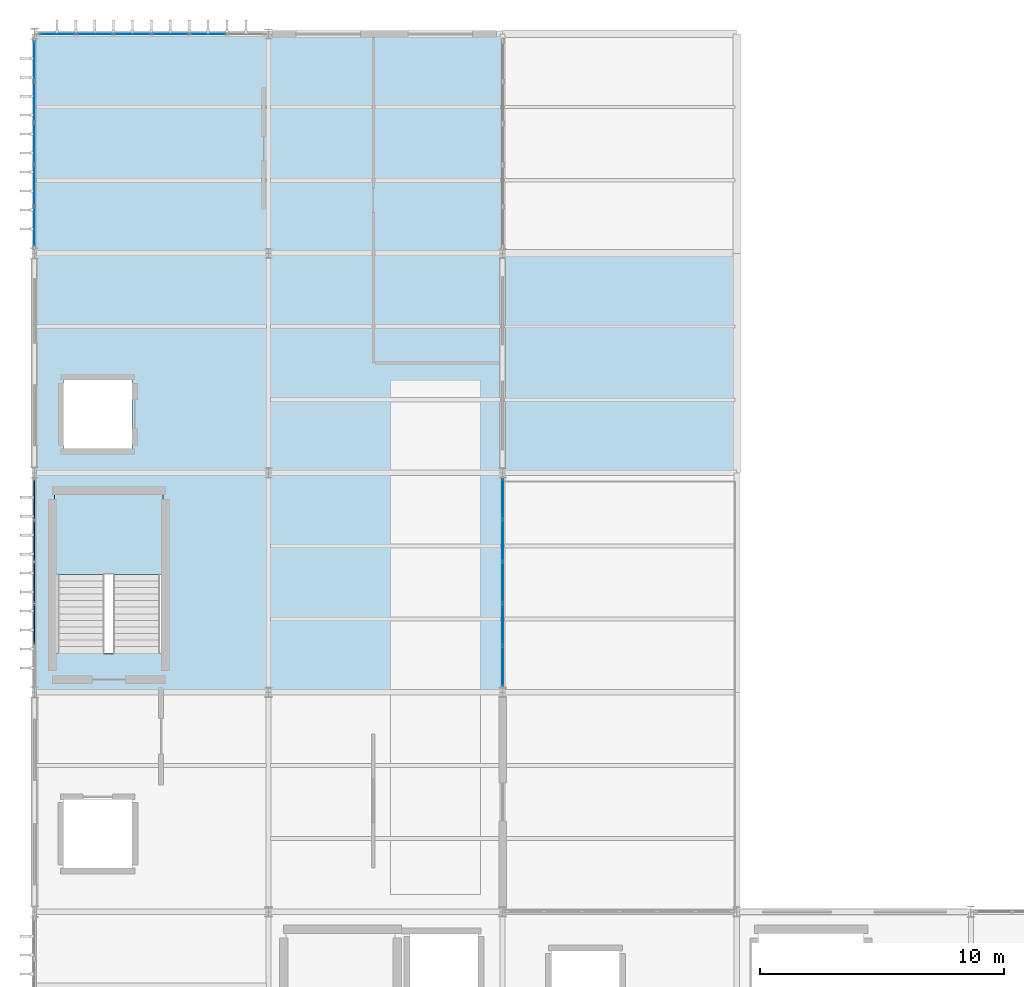
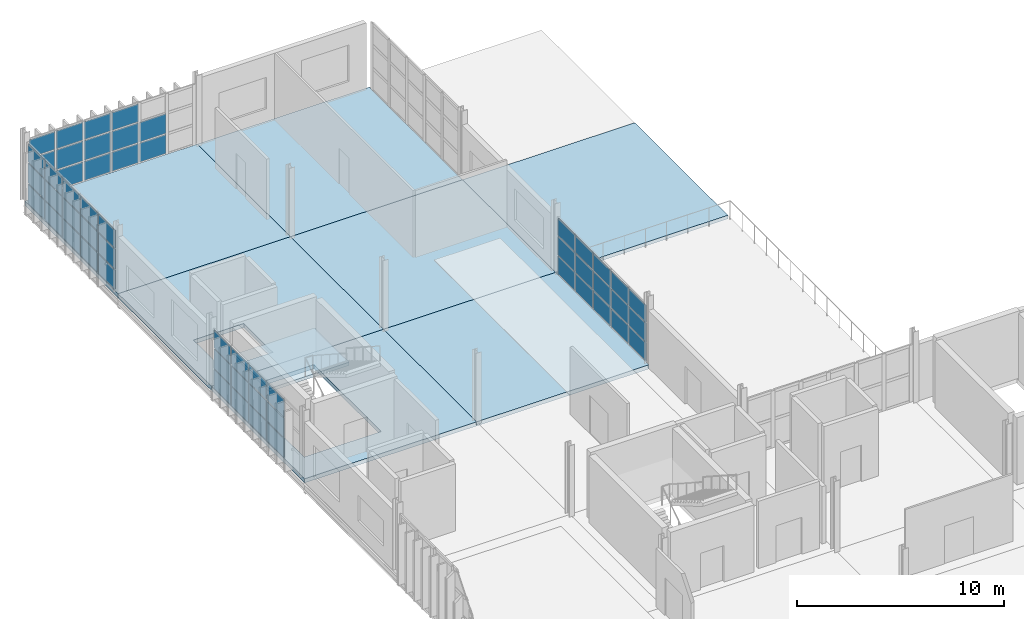
# One storey, part 17 of 38: 56 plates, 8 slabs, 5 elements without a shape of their own.
"""IFC4 building model written with IfcOpenShell, lengths in metres."""

import ifcopenshell
import ifcopenshell.guid

model = None  # the IFC model being written
_history = None  # IfcOwnerHistory: only IFC2X3 demands one
_inside = {}  # id of a spatial element -> (the spatial element, [elements in it])
_under = {}  # id of a project, library or spatial element -> (it, [spatial elements below it])
_declared = {}  # id of a project -> (the project, [libraries it declares])
_typed = {}  # id of a type object -> (the type object, [elements of that type])
_made_of = {}  # id of a material, layer set ... -> (it, [elements and type objects made of it])


def new_model(schema):
    """Start an empty IFC model of exactly this schema.

    Asked for "IFC4X3", IfcOpenShell would pick the latest addendum, in which some entities
    have other attributes; the version numbers below select the first issue.
    IFC2X3 requires an IfcOwnerHistory on every rooted entity: one is made here for all.
    """
    global model, _history
    if schema == "IFC4X3":
        model = ifcopenshell.file(schema_version=(4, 3, 0, 0))
    else:
        model = ifcopenshell.file(schema=schema)
    _inside.clear()
    _under.clear()
    _declared.clear()
    _typed.clear()
    _made_of.clear()
    _history = None
    if model.schema == "IFC2X3":
        org = make("IfcOrganization", Name="unknown")
        user = make(
            "IfcPersonAndOrganization",
            ThePerson=make("IfcPerson", FamilyName="unknown"),
            TheOrganization=org,
        )
        app = make(
            "IfcApplication",
            ApplicationDeveloper=org,
            Version="unknown",
            ApplicationFullName="unknown",
            ApplicationIdentifier="unknown",
        )
        _history = make(
            "IfcOwnerHistory",
            OwningUser=user,
            OwningApplication=app,
            ChangeAction="ADDED",
            CreationDate=0,
        )
    return model


def make(cls, **values):
    """One entity of the class cls with the attributes given. An attribute that is None is left unset."""
    return model.create_entity(
        cls, **{name: value for name, value in values.items() if value is not None}
    )


def rooted(cls, **values):
    """An entity with a GlobalId (a new one), such as an element, a storey or a relation."""
    return make(cls, GlobalId=ifcopenshell.guid.new(), OwnerHistory=_history, **values)


def si_unit(unit_type, name, prefix=None):
    """IfcSIUnit, for example si_unit("LENGTHUNIT", "METRE", prefix="MILLI")."""
    return make("IfcSIUnit", UnitType=unit_type, Prefix=prefix, Name=name)


def assignment(units):
    """IfcUnitAssignment: the units of a project."""
    return None if units is None else make("IfcUnitAssignment", Units=units)


def point(xyz):
    """IfcCartesianPoint."""
    return None if xyz is None else make("IfcCartesianPoint", Coordinates=xyz)


def direction(xyz):
    """IfcDirection."""
    return None if xyz is None else make("IfcDirection", DirectionRatios=xyz)


def frame(location, z_axis=None, x_axis=None):
    """IfcAxis2Placement3D, a coordinate frame: its origin and axes. An axis left out is left unset."""
    return make(
        "IfcAxis2Placement3D",
        Location=point(location),
        Axis=direction(z_axis),
        RefDirection=direction(x_axis),
    )


def frame_2d(location, x_axis=None):
    """IfcAxis2Placement2D, a coordinate frame in the plane: its origin and x axis."""
    return make(
        "IfcAxis2Placement2D", Location=point(location), RefDirection=direction(x_axis)
    )


def origin():
    """The frame at (0, 0, 0) with its axes left unset."""
    return frame((0.0, 0.0, 0.0))


def origin_2d():
    """The frame at (0, 0) in the plane with its x axis left unset."""
    return frame_2d((0.0, 0.0))


def place(relative_to, where):
    """IfcLocalPlacement: puts the frame where relative to a parent placement (None: the world)."""
    return make(
        "IfcLocalPlacement", PlacementRelTo=relative_to, RelativePlacement=where
    )


def context(
    kind, dimensions, precision=None, world=None, true_north=None, identifier=None
):
    """IfcGeometricRepresentationContext, for example the 3D "Model" context."""
    return make(
        "IfcGeometricRepresentationContext",
        ContextIdentifier=identifier,
        ContextType=kind,
        CoordinateSpaceDimension=dimensions,
        Precision=precision,
        WorldCoordinateSystem=world,
        TrueNorth=true_north,
    )


def subcontext(parent, identifier, kind, view, scale=None):
    """IfcGeometricRepresentationSubContext, for example "Body" below "Model"."""
    return make(
        "IfcGeometricRepresentationSubContext",
        ContextIdentifier=identifier,
        ContextType=kind,
        ParentContext=parent,
        TargetScale=scale,
        TargetView=view,
    )


def project(units=None, contexts=None):
    """IfcProject with its units and contexts."""
    return rooted(
        "IfcProject",
        Name="project",
        RepresentationContexts=contexts,
        UnitsInContext=assignment(units),
    )


def spatial(cls, under=None, at=None, **own):
    """A site, building, storey or space (cls), placed at a placement, below another one or the project."""
    s = rooted(cls, ObjectPlacement=at, **own)
    if under is not None:
        _under.setdefault(under.id(), (under, []))[1].append(s)
    return s


def polyline(points):
    """IfcPolyline through the points."""
    return make("IfcPolyline", Points=[point(p) for p in points])


def profile(cls, at=None, kind="AREA", **sizes):
    """A parametric profile (cls). Its sizes go by their IFC names, for example OverallWidth=200.0."""
    return make(cls, ProfileType=kind, Position=at, **sizes)


def rectangle(**sizes):
    """IfcRectangleProfileDef."""
    return profile("IfcRectangleProfileDef", **sizes)


def outline(outer, holes=None, kind="AREA"):
    """IfcArbitraryClosedProfileDef: a profile drawn as a closed curve; with holes, ...WithVoids."""
    if holes is None:
        return make("IfcArbitraryClosedProfileDef", ProfileType=kind, OuterCurve=outer)
    return make(
        "IfcArbitraryProfileDefWithVoids",
        ProfileType=kind,
        OuterCurve=outer,
        InnerCurves=holes,
    )


def extrude(swept, where, along, depth):
    """IfcExtrudedAreaSolid: the profile swept, set in the frame where, extruded along a direction by depth."""
    return make(
        "IfcExtrudedAreaSolid",
        SweptArea=swept,
        Position=where,
        ExtrudedDirection=direction(along),
        Depth=depth,
    )


def shape(context_of_items, identifier, shape_type, items):
    """IfcShapeRepresentation: the items that make up one representation, for example the "Body"."""
    return make(
        "IfcShapeRepresentation",
        ContextOfItems=context_of_items,
        RepresentationIdentifier=identifier,
        RepresentationType=shape_type,
        Items=items,
    )


def material(Name=None, Category=None):
    """IfcMaterial."""
    return make("IfcMaterial", Name=Name, Category=Category)


def layer(
    of_material, thickness, ventilated=None, Name=None, Category=None, Priority=None
):
    """IfcMaterialLayer: one layer of a wall or slab, of a material (None: an air gap)."""
    return make(
        "IfcMaterialLayer",
        Material=of_material,
        LayerThickness=thickness,
        IsVentilated=ventilated,
        Name=Name,
        Category=Category,
        Priority=Priority,
    )


def layer_set(layers, Name=None):
    """IfcMaterialLayerSet."""
    return make("IfcMaterialLayerSet", MaterialLayers=layers, LayerSetName=Name)


def made_of(thing, what):
    """Note that an element or type object is made of a material, layer set ...; save() writes the relation."""
    if what is not None:
        _made_of.setdefault(what.id(), (what, []))[1].append(thing)
    return thing


def type_object(cls, material=None, **own):
    """A type object (cls), such as IfcWallType, which elements share."""
    return made_of(rooted(cls, **own), material)


def element(
    cls,
    number,
    at=None,
    inside=None,
    cuts=None,
    type_object=None,
    material=None,
    context=None,
    identifier="Body",
    shape_type=None,
    held_by="IfcProductDefinitionShape",
    body=None,
    shapes=None,
    **own,
):
    """One element of the class cls, such as IfcWall. Its Tag is "e" and its number.

    at: its placement. inside: the storey or other place that contains it. cuts: it is an
    opening in that element (IfcRelVoidsElement). A single representation is given by context,
    identifier, shape_type and body (its items); several are given by shapes. held_by: the class
    of the entity that holds the representations. save() writes the other relations.
    """
    e = rooted(cls, Tag="e%d" % number, ObjectPlacement=at, **own)
    if body is not None:
        shapes = [shape(context, identifier, shape_type, body)]
    if shapes is not None:
        e.Representation = make(held_by, Representations=shapes)
    if inside is not None:
        _inside.setdefault(inside.id(), (inside, []))[1].append(e)
    if cuts is not None:
        rooted(
            "IfcRelVoidsElement", RelatingBuildingElement=cuts, RelatedOpeningElement=e
        )
    if type_object is not None:
        _typed.setdefault(type_object.id(), (type_object, []))[1].append(e)
    return made_of(e, material)


def aggregate(whole, parts):
    """IfcRelAggregates: a whole, such as a stair, and the parts it consists of."""
    return rooted("IfcRelAggregates", RelatingObject=whole, RelatedObjects=parts)


def save(model, path):
    """Write the relations noted so far, then the file.

    IfcRelAggregates (storeys below a building ...), IfcRelContainedInSpatialStructure (elements
    in a storey), IfcRelDefinesByType, IfcRelAssociatesMaterial and IfcRelDeclares: one each for
    every whole, place, type object, material and project.
    """
    for whole, parts in _under.values():
        aggregate(whole, parts)
    for where, things in _inside.values():
        rooted(
            "IfcRelContainedInSpatialStructure",
            RelatedElements=things,
            RelatingStructure=where,
        )
    for kind, things in _typed.values():
        rooted("IfcRelDefinesByType", RelatedObjects=things, RelatingType=kind)
    for what, things in _made_of.values():
        rooted("IfcRelAssociatesMaterial", RelatedObjects=things, RelatingMaterial=what)
    for by, libraries in _declared.values():
        rooted("IfcRelDeclares", RelatingContext=by, RelatedDefinitions=libraries)
    model.write(path)


model = new_model("IFC4")

# Units and contexts
model_context = context("Model", 3, precision=1e-05, world=origin(), true_north=direction((0.0, 1.0)))
body_context = subcontext(model_context, "Body", "Model", "MODEL_VIEW")
ifc_project = project(units=[si_unit("LENGTHUNIT", "METRE"), si_unit("AREAUNIT", "SQUARE_METRE"), si_unit("VOLUMEUNIT", "CUBIC_METRE"), si_unit("PLANEANGLEUNIT", "RADIAN"), si_unit("MASSUNIT", "GRAM", prefix="KILO")], contexts=[model_context])

# Site, building, storey
site_placement = place(None, origin())
site = spatial("IfcSite", under=ifc_project, at=site_placement, CompositionType="ELEMENT")
building_placement = place(site_placement, origin())
building = spatial("IfcBuilding", under=site, at=building_placement, Name="Zarnetskaya Central Station", CompositionType="ELEMENT")
storey_placement = place(building_placement, frame((0.0, 0.0, 18.60009765625)))
storey = spatial("IfcBuildingStorey", under=building, at=storey_placement, Name="L04", CompositionType="ELEMENT", Elevation=18.60009765625)

# Curtain wall, plates
ifc_material_1 = material(Name="Low-E insulated glass", Category="glass")
ifc_layer_1 = layer(ifc_material_1, 0.1640625, Name="Low-E insulated glass", Category="glass")
ifc_layer_set_1 = layer_set([ifc_layer_1], Name="Low-E insulated glass")
curtain_wall_type_1 = type_object("IfcCurtainWallType", Name="CW-SYS-12", PredefinedType="USERDEFINED", material=ifc_layer_set_1)
curtain_wall_1_placement = place(storey_placement, origin())
curtain_wall_1 = element("IfcCurtainWall", 1, at=curtain_wall_1_placement, inside=storey, type_object=curtain_wall_type_1, Name="Curtain wall CW-L04-050", ObjectType="CURTAIN WALL", PredefinedType="USERDEFINED")
ifc_layer_2 = layer(ifc_material_1, 0.028076171875, Name="Low-E insulated glass", Category="glass")
ifc_layer_set_2 = layer_set([ifc_layer_2], Name="Low-E insulated glass")
plate_type_1 = type_object("IfcPlateType", Name="CW-PAN-28", PredefinedType="CURTAIN_PANEL", material=ifc_layer_set_2)
plate_1_placement = place(storey_placement, frame((0.0, 50.300048828125, 0.080078125), z_axis=(0.0, 0.0, 1.0), x_axis=(0.0, 1.0, 0.0)))
plate_1 = element("IfcPlate", 2, at=plate_1_placement, type_object=plate_type_1, Name="CW-18 panel 1.1", PredefinedType="CURTAIN_PANEL", context=body_context, shape_type="SweptSolid", body=[
    extrude(rectangle(XDim=1.590087890625, YDim=0.028076171875, at=origin_2d()), origin(), (0.0, 0.0, 1.0), 1.117919921875),
])
plate_2_placement = place(storey_placement, frame((0.0, 50.300048828125, 1.27783203125), z_axis=(0.0, 0.0, 1.0), x_axis=(0.0, 1.0, 0.0)))
plate_2 = element("IfcPlate", 3, at=plate_2_placement, type_object=plate_type_1, Name="CW-18 panel 1.2", PredefinedType="CURTAIN_PANEL", context=body_context, shape_type="SweptSolid", body=[
    extrude(rectangle(XDim=1.590087890625, YDim=0.028076171875, at=origin_2d()), origin(), (0.0, 0.0, 1.0), 1.156982421875),
])
plate_3_placement = place(storey_placement, frame((0.0, 50.300048828125, 2.514892578125), z_axis=(0.0, 0.0, 1.0), x_axis=(0.0, 1.0, 0.0)))
plate_3 = element("IfcPlate", 4, at=plate_3_placement, type_object=plate_type_1, Name="CW-18 panel 1.3", PredefinedType="CURTAIN_PANEL", context=body_context, shape_type="SweptSolid", body=[
    extrude(rectangle(XDim=1.590087890625, YDim=0.028076171875, at=origin_2d()), origin(), (0.0, 0.0, 1.0), 1.044921875),
])
plate_4_placement = place(storey_placement, frame((0.0, 51.989990234375, 0.080078125), z_axis=(0.0, 0.0, 1.0), x_axis=(0.0, 1.0, 0.0)))
plate_4 = element("IfcPlate", 5, at=plate_4_placement, type_object=plate_type_1, Name="CW-18 panel 2.1", PredefinedType="CURTAIN_PANEL", context=body_context, shape_type="SweptSolid", body=[
    extrude(rectangle(XDim=1.6298828125, YDim=0.028076171875, at=origin_2d()), origin(), (0.0, 0.0, 1.0), 1.117919921875),
])
plate_5_placement = place(storey_placement, frame((0.0, 51.989990234375, 1.27783203125), z_axis=(0.0, 0.0, 1.0), x_axis=(0.0, 1.0, 0.0)))
plate_5 = element("IfcPlate", 6, at=plate_5_placement, type_object=plate_type_1, Name="CW-18 panel 2.2", PredefinedType="CURTAIN_PANEL", context=body_context, shape_type="SweptSolid", body=[
    extrude(rectangle(XDim=1.6298828125, YDim=0.028076171875, at=origin_2d()), origin(), (0.0, 0.0, 1.0), 1.156982421875),
])
plate_6_placement = place(storey_placement, frame((0.0, 51.989990234375, 2.514892578125), z_axis=(0.0, 0.0, 1.0), x_axis=(0.0, 1.0, 0.0)))
plate_6 = element("IfcPlate", 7, at=plate_6_placement, type_object=plate_type_1, Name="CW-18 panel 2.3", PredefinedType="CURTAIN_PANEL", context=body_context, shape_type="SweptSolid", body=[
    extrude(rectangle(XDim=1.6298828125, YDim=0.028076171875, at=origin_2d()), origin(), (0.0, 0.0, 1.0), 1.044921875),
])
plate_7_placement = place(storey_placement, frame((0.0, 53.699951171875, 0.080078125), z_axis=(0.0, 0.0, 1.0), x_axis=(0.0, 1.0, 0.0)))
plate_7 = element("IfcPlate", 8, at=plate_7_placement, type_object=plate_type_1, Name="CW-18 panel 3.1", PredefinedType="CURTAIN_PANEL", context=body_context, shape_type="SweptSolid", body=[
    extrude(rectangle(XDim=1.6298828125, YDim=0.028076171875, at=origin_2d()), origin(), (0.0, 0.0, 1.0), 1.117919921875),
])
plate_8_placement = place(storey_placement, frame((0.0, 53.699951171875, 1.27783203125), z_axis=(0.0, 0.0, 1.0), x_axis=(0.0, 1.0, 0.0)))
plate_8 = element("IfcPlate", 9, at=plate_8_placement, type_object=plate_type_1, Name="CW-18 panel 3.2", PredefinedType="CURTAIN_PANEL", context=body_context, shape_type="SweptSolid", body=[
    extrude(rectangle(XDim=1.6298828125, YDim=0.028076171875, at=origin_2d()), origin(), (0.0, 0.0, 1.0), 1.156982421875),
])
plate_9_placement = place(storey_placement, frame((0.0, 53.699951171875, 2.514892578125), z_axis=(0.0, 0.0, 1.0), x_axis=(0.0, 1.0, 0.0)))
plate_9 = element("IfcPlate", 10, at=plate_9_placement, type_object=plate_type_1, Name="CW-18 panel 3.3", PredefinedType="CURTAIN_PANEL", context=body_context, shape_type="SweptSolid", body=[
    extrude(rectangle(XDim=1.6298828125, YDim=0.028076171875, at=origin_2d()), origin(), (0.0, 0.0, 1.0), 1.044921875),
])
plate_10_placement = place(storey_placement, frame((0.0, 55.409912109375, 0.080078125), z_axis=(0.0, 0.0, 1.0), x_axis=(0.0, 1.0, 0.0)))
plate_10 = element("IfcPlate", 11, at=plate_10_placement, type_object=plate_type_1, Name="CW-18 panel 4.1", PredefinedType="CURTAIN_PANEL", context=body_context, shape_type="SweptSolid", body=[
    extrude(rectangle(XDim=1.6298828125, YDim=0.028076171875, at=origin_2d()), origin(), (0.0, 0.0, 1.0), 1.117919921875),
])
plate_11_placement = place(storey_placement, frame((0.0, 55.409912109375, 1.27783203125), z_axis=(0.0, 0.0, 1.0), x_axis=(0.0, 1.0, 0.0)))
plate_11 = element("IfcPlate", 12, at=plate_11_placement, type_object=plate_type_1, Name="CW-18 panel 4.2", PredefinedType="CURTAIN_PANEL", context=body_context, shape_type="SweptSolid", body=[
    extrude(rectangle(XDim=1.6298828125, YDim=0.028076171875, at=origin_2d()), origin(), (0.0, 0.0, 1.0), 1.156982421875),
])
plate_12_placement = place(storey_placement, frame((0.0, 55.409912109375, 2.514892578125), z_axis=(0.0, 0.0, 1.0), x_axis=(0.0, 1.0, 0.0)))
plate_12 = element("IfcPlate", 13, at=plate_12_placement, type_object=plate_type_1, Name="CW-18 panel 4.3", PredefinedType="CURTAIN_PANEL", context=body_context, shape_type="SweptSolid", body=[
    extrude(rectangle(XDim=1.6298828125, YDim=0.028076171875, at=origin_2d()), origin(), (0.0, 0.0, 1.0), 1.044921875),
])
plate_13_placement = place(storey_placement, frame((0.0, 57.10009765625, 0.080078125), z_axis=(0.0, 0.0, 1.0), x_axis=(0.0, 1.0, 0.0)))
plate_13 = element("IfcPlate", 14, at=plate_13_placement, type_object=plate_type_1, Name="CW-18 panel 5.1", PredefinedType="CURTAIN_PANEL", context=body_context, shape_type="SweptSolid", body=[
    extrude(rectangle(XDim=1.590087890625, YDim=0.028076171875, at=origin_2d()), origin(), (0.0, 0.0, 1.0), 1.117919921875),
])
plate_14_placement = place(storey_placement, frame((0.0, 57.10009765625, 1.27783203125), z_axis=(0.0, 0.0, 1.0), x_axis=(0.0, 1.0, 0.0)))
plate_14 = element("IfcPlate", 15, at=plate_14_placement, type_object=plate_type_1, Name="CW-18 panel 5.2", PredefinedType="CURTAIN_PANEL", context=body_context, shape_type="SweptSolid", body=[
    extrude(rectangle(XDim=1.590087890625, YDim=0.028076171875, at=origin_2d()), origin(), (0.0, 0.0, 1.0), 1.156982421875),
])
plate_15_placement = place(storey_placement, frame((0.0, 57.10009765625, 2.514892578125), z_axis=(0.0, 0.0, 1.0), x_axis=(0.0, 1.0, 0.0)))
plate_15 = element("IfcPlate", 16, at=plate_15_placement, type_object=plate_type_1, Name="CW-18 panel 5.3", PredefinedType="CURTAIN_PANEL", context=body_context, shape_type="SweptSolid", body=[
    extrude(rectangle(XDim=1.590087890625, YDim=0.028076171875, at=origin_2d()), origin(), (0.0, 0.0, 1.0), 1.044921875),
])
aggregate(curtain_wall_1, [plate_1, plate_2, plate_3, plate_4, plate_5, plate_6, plate_7, plate_8, plate_9, plate_10, plate_11, plate_12, plate_13, plate_14, plate_15])

ifc_layer_3 = layer(ifc_material_1, 0.159912109375, Name="Low-E insulated glass", Category="glass")
ifc_layer_set_3 = layer_set([ifc_layer_3], Name="Low-E insulated glass")
curtain_wall_type_2 = type_object("IfcCurtainWallType", Name="CW-SYS-06", PredefinedType="USERDEFINED", material=ifc_layer_set_3)
curtain_wall_2_placement = place(storey_placement, origin())
curtain_wall_2 = element("IfcCurtainWall", 17, at=curtain_wall_2_placement, inside=storey, type_object=curtain_wall_type_2, Name="Curtain wall CW-L04-051", ObjectType="CURTAIN WALL", PredefinedType="USERDEFINED")
ifc_layer_4 = layer(ifc_material_1, 0.031982421875, Name="Low-E insulated glass", Category="glass")
ifc_layer_set_4 = layer_set([ifc_layer_4], Name="Low-E insulated glass")
plate_type_2 = type_object("IfcPlateType", Name="CW-PAN-32", PredefinedType="CURTAIN_PANEL", material=ifc_layer_set_4)
plate_16_placement = place(storey_placement, frame((0.9423828125, 58.199951171875, 0.06982421875), z_axis=(0.0, 0.0, 1.0), x_axis=(1.0, 0.0, 0.0)))
plate_16 = element("IfcPlate", 18, at=plate_16_placement, type_object=plate_type_2, Name="CW-02 panel 1.1", PredefinedType="CURTAIN_PANEL", context=body_context, shape_type="SweptSolid", body=[
    extrude(rectangle(XDim=1.445068359375, YDim=0.031982421875, at=origin_2d()), origin(), (0.0, 0.0, 1.0), 1.118896484375),
])
plate_17_placement = place(storey_placement, frame((0.9423828125, 58.199951171875, 1.2587890625), z_axis=(0.0, 0.0, 1.0), x_axis=(1.0, 0.0, 0.0)))
plate_17 = element("IfcPlate", 19, at=plate_17_placement, type_object=plate_type_2, Name="CW-02 panel 1.2", PredefinedType="CURTAIN_PANEL", context=body_context, shape_type="SweptSolid", body=[
    extrude(rectangle(XDim=1.445068359375, YDim=0.031982421875, at=origin_2d()), origin(), (0.0, 0.0, 1.0), 1.154052734375),
])
plate_18_placement = place(storey_placement, frame((0.9423828125, 58.199951171875, 2.48291015625), z_axis=(0.0, 0.0, 1.0), x_axis=(1.0, 0.0, 0.0)))
plate_18 = element("IfcPlate", 20, at=plate_18_placement, type_object=plate_type_2, Name="CW-02 panel 1.3", PredefinedType="CURTAIN_PANEL", context=body_context, shape_type="SweptSolid", body=[
    extrude(rectangle(XDim=1.445068359375, YDim=0.031982421875, at=origin_2d()), origin(), (0.0, 0.0, 1.0), 1.047119140625),
])
plate_19_placement = place(storey_placement, frame((2.47509765625, 58.199951171875, 0.06982421875), z_axis=(0.0, 0.0, 1.0), x_axis=(1.0, 0.0, 0.0)))
plate_19 = element("IfcPlate", 21, at=plate_19_placement, type_object=plate_type_2, Name="CW-02 panel 2.1", PredefinedType="CURTAIN_PANEL", context=body_context, shape_type="SweptSolid", body=[
    extrude(rectangle(XDim=1.47998046875, YDim=0.031982421875, at=origin_2d()), origin(), (0.0, 0.0, 1.0), 1.118896484375),
])
plate_20_placement = place(storey_placement, frame((2.47509765625, 58.199951171875, 1.2587890625), z_axis=(0.0, 0.0, 1.0), x_axis=(1.0, 0.0, 0.0)))
plate_20 = element("IfcPlate", 22, at=plate_20_placement, type_object=plate_type_2, Name="CW-02 panel 2.2", PredefinedType="CURTAIN_PANEL", context=body_context, shape_type="SweptSolid", body=[
    extrude(rectangle(XDim=1.47998046875, YDim=0.031982421875, at=origin_2d()), origin(), (0.0, 0.0, 1.0), 1.154052734375),
])
plate_21_placement = place(storey_placement, frame((2.47509765625, 58.199951171875, 2.48291015625), z_axis=(0.0, 0.0, 1.0), x_axis=(1.0, 0.0, 0.0)))
plate_21 = element("IfcPlate", 23, at=plate_21_placement, type_object=plate_type_2, Name="CW-02 panel 2.3", PredefinedType="CURTAIN_PANEL", context=body_context, shape_type="SweptSolid", body=[
    extrude(rectangle(XDim=1.47998046875, YDim=0.031982421875, at=origin_2d()), origin(), (0.0, 0.0, 1.0), 1.047119140625),
])
plate_22_placement = place(storey_placement, frame((4.02490234375, 58.199951171875, 0.06982421875), z_axis=(0.0, 0.0, 1.0), x_axis=(1.0, 0.0, 0.0)))
plate_22 = element("IfcPlate", 24, at=plate_22_placement, type_object=plate_type_2, Name="CW-02 panel 3.1", PredefinedType="CURTAIN_PANEL", context=body_context, shape_type="SweptSolid", body=[
    extrude(rectangle(XDim=1.47998046875, YDim=0.031982421875, at=origin_2d()), origin(), (0.0, 0.0, 1.0), 1.118896484375),
])
plate_23_placement = place(storey_placement, frame((4.02490234375, 58.199951171875, 1.2587890625), z_axis=(0.0, 0.0, 1.0), x_axis=(1.0, 0.0, 0.0)))
plate_23 = element("IfcPlate", 25, at=plate_23_placement, type_object=plate_type_2, Name="CW-02 panel 3.2", PredefinedType="CURTAIN_PANEL", context=body_context, shape_type="SweptSolid", body=[
    extrude(rectangle(XDim=1.47998046875, YDim=0.031982421875, at=origin_2d()), origin(), (0.0, 0.0, 1.0), 1.154052734375),
])
plate_24_placement = place(storey_placement, frame((4.02490234375, 58.199951171875, 2.48291015625), z_axis=(0.0, 0.0, 1.0), x_axis=(1.0, 0.0, 0.0)))
plate_24 = element("IfcPlate", 26, at=plate_24_placement, type_object=plate_type_2, Name="CW-02 panel 3.3", PredefinedType="CURTAIN_PANEL", context=body_context, shape_type="SweptSolid", body=[
    extrude(rectangle(XDim=1.47998046875, YDim=0.031982421875, at=origin_2d()), origin(), (0.0, 0.0, 1.0), 1.047119140625),
])
plate_25_placement = place(storey_placement, frame((5.574951171875, 58.199951171875, 0.06982421875), z_axis=(0.0, 0.0, 1.0), x_axis=(1.0, 0.0, 0.0)))
plate_25 = element("IfcPlate", 27, at=plate_25_placement, type_object=plate_type_2, Name="CW-02 panel 4.1", PredefinedType="CURTAIN_PANEL", context=body_context, shape_type="SweptSolid", body=[
    extrude(rectangle(XDim=1.47998046875, YDim=0.031982421875, at=origin_2d()), origin(), (0.0, 0.0, 1.0), 1.118896484375),
])
plate_26_placement = place(storey_placement, frame((5.574951171875, 58.199951171875, 1.2587890625), z_axis=(0.0, 0.0, 1.0), x_axis=(1.0, 0.0, 0.0)))
plate_26 = element("IfcPlate", 28, at=plate_26_placement, type_object=plate_type_2, Name="CW-02 panel 4.2", PredefinedType="CURTAIN_PANEL", context=body_context, shape_type="SweptSolid", body=[
    extrude(rectangle(XDim=1.47998046875, YDim=0.031982421875, at=origin_2d()), origin(), (0.0, 0.0, 1.0), 1.154052734375),
])
plate_27_placement = place(storey_placement, frame((5.574951171875, 58.199951171875, 2.48291015625), z_axis=(0.0, 0.0, 1.0), x_axis=(1.0, 0.0, 0.0)))
plate_27 = element("IfcPlate", 29, at=plate_27_placement, type_object=plate_type_2, Name="CW-02 panel 4.3", PredefinedType="CURTAIN_PANEL", context=body_context, shape_type="SweptSolid", body=[
    extrude(rectangle(XDim=1.47998046875, YDim=0.031982421875, at=origin_2d()), origin(), (0.0, 0.0, 1.0), 1.047119140625),
])
plate_28_placement = place(storey_placement, frame((7.125, 58.199951171875, 0.06982421875), z_axis=(0.0, 0.0, 1.0), x_axis=(1.0, 0.0, 0.0)))
plate_28 = element("IfcPlate", 30, at=plate_28_placement, type_object=plate_type_2, Name="CW-02 panel 5.1", PredefinedType="CURTAIN_PANEL", context=body_context, shape_type="SweptSolid", body=[
    extrude(rectangle(XDim=1.47998046875, YDim=0.031982421875, at=origin_2d()), origin(), (0.0, 0.0, 1.0), 1.118896484375),
])
plate_29_placement = place(storey_placement, frame((7.125, 58.199951171875, 1.2587890625), z_axis=(0.0, 0.0, 1.0), x_axis=(1.0, 0.0, 0.0)))
plate_29 = element("IfcPlate", 31, at=plate_29_placement, type_object=plate_type_2, Name="CW-02 panel 5.2", PredefinedType="CURTAIN_PANEL", context=body_context, shape_type="SweptSolid", body=[
    extrude(rectangle(XDim=1.47998046875, YDim=0.031982421875, at=origin_2d()), origin(), (0.0, 0.0, 1.0), 1.154052734375),
])
aggregate(curtain_wall_2, [plate_16, plate_17, plate_18, plate_19, plate_20, plate_21, plate_22, plate_23, plate_24, plate_25, plate_26, plate_27, plate_28, plate_29])

ifc_layer_5 = layer(ifc_material_1, 0.16796875, Name="Low-E insulated glass", Category="glass")
ifc_layer_set_5 = layer_set([ifc_layer_5], Name="Low-E insulated glass")
curtain_wall_type_3 = type_object("IfcCurtainWallType", Name="CW-SYS-08", PredefinedType="USERDEFINED", material=ifc_layer_set_5)
curtain_wall_3_placement = place(storey_placement, origin())
curtain_wall_3 = element("IfcCurtainWall", 32, at=curtain_wall_3_placement, inside=storey, type_object=curtain_wall_type_3, Name="Curtain wall CW-L04-053", ObjectType="CURTAIN WALL", PredefinedType="USERDEFINED")
ifc_layer_6 = layer(ifc_material_1, 0.0400390625, Name="Low-E insulated glass", Category="glass")
ifc_layer_set_6 = layer_set([ifc_layer_6], Name="Low-E insulated glass")
plate_type_3 = type_object("IfcPlateType", Name="CW-PAN-40", PredefinedType="CURTAIN_PANEL", material=ifc_layer_set_6)
plate_30_placement = place(storey_placement, frame((19.199951171875, 39.12255859375, 0.06982421875), z_axis=(0.0, 0.0, 1.0), x_axis=(0.0, -1.0, 0.0)))
plate_30 = element("IfcPlate", 33, at=plate_30_placement, type_object=plate_type_3, Name="CW-16 panel 1.1", PredefinedType="CURTAIN_PANEL", context=body_context, shape_type="SweptSolid", body=[
    extrude(rectangle(XDim=1.614990234375, YDim=0.0400390625, at=origin_2d()), origin(), (0.0, 0.0, 1.0), 1.053955078125),
])
plate_31_placement = place(storey_placement, frame((19.199951171875, 39.12255859375, 1.19384765625), z_axis=(0.0, 0.0, 1.0), x_axis=(0.0, -1.0, 0.0)))
plate_31 = element("IfcPlate", 34, at=plate_31_placement, type_object=plate_type_3, Name="CW-16 panel 1.2", PredefinedType="CURTAIN_PANEL", context=body_context, shape_type="SweptSolid", body=[
    extrude(rectangle(XDim=1.614990234375, YDim=0.0400390625, at=origin_2d()), origin(), (0.0, 0.0, 1.0), 1.090087890625),
])
plate_32_placement = place(storey_placement, frame((19.199951171875, 39.12255859375, 2.35400390625), z_axis=(0.0, 0.0, 1.0), x_axis=(0.0, -1.0, 0.0)))
plate_32 = element("IfcPlate", 35, at=plate_32_placement, type_object=plate_type_3, Name="CW-16 panel 1.3", PredefinedType="CURTAIN_PANEL", context=body_context, shape_type="SweptSolid", body=[
    extrude(rectangle(XDim=1.614990234375, YDim=0.0400390625, at=origin_2d()), origin(), (0.0, 0.0, 1.0), 0.986083984375),
])
plate_33_placement = place(storey_placement, frame((19.199951171875, 37.419921875, 0.06982421875), z_axis=(0.0, 0.0, 1.0), x_axis=(0.0, -1.0, 0.0)))
plate_33 = element("IfcPlate", 36, at=plate_33_placement, type_object=plate_type_3, Name="CW-16 panel 2.1", PredefinedType="CURTAIN_PANEL", context=body_context, shape_type="SweptSolid", body=[
    extrude(rectangle(XDim=1.64990234375, YDim=0.0400390625, at=origin_2d()), origin(), (0.0, 0.0, 1.0), 1.053955078125),
])
plate_34_placement = place(storey_placement, frame((19.199951171875, 37.419921875, 1.19384765625), z_axis=(0.0, 0.0, 1.0), x_axis=(0.0, -1.0, 0.0)))
plate_34 = element("IfcPlate", 37, at=plate_34_placement, type_object=plate_type_3, Name="CW-16 panel 2.2", PredefinedType="CURTAIN_PANEL", context=body_context, shape_type="SweptSolid", body=[
    extrude(rectangle(XDim=1.64990234375, YDim=0.0400390625, at=origin_2d()), origin(), (0.0, 0.0, 1.0), 1.090087890625),
])
plate_35_placement = place(storey_placement, frame((19.199951171875, 37.419921875, 2.35400390625), z_axis=(0.0, 0.0, 1.0), x_axis=(0.0, -1.0, 0.0)))
plate_35 = element("IfcPlate", 38, at=plate_35_placement, type_object=plate_type_3, Name="CW-16 panel 2.3", PredefinedType="CURTAIN_PANEL", context=body_context, shape_type="SweptSolid", body=[
    extrude(rectangle(XDim=1.64990234375, YDim=0.0400390625, at=origin_2d()), origin(), (0.0, 0.0, 1.0), 0.986083984375),
])
plate_36_placement = place(storey_placement, frame((19.199951171875, 35.699951171875, 0.06982421875), z_axis=(0.0, 0.0, 1.0), x_axis=(0.0, -1.0, 0.0)))
plate_36 = element("IfcPlate", 39, at=plate_36_placement, type_object=plate_type_3, Name="CW-16 panel 3.1", PredefinedType="CURTAIN_PANEL", context=body_context, shape_type="SweptSolid", body=[
    extrude(rectangle(XDim=1.64990234375, YDim=0.0400390625, at=origin_2d()), origin(), (0.0, 0.0, 1.0), 1.053955078125),
])
plate_37_placement = place(storey_placement, frame((19.199951171875, 35.699951171875, 1.19384765625), z_axis=(0.0, 0.0, 1.0), x_axis=(0.0, -1.0, 0.0)))
plate_37 = element("IfcPlate", 40, at=plate_37_placement, type_object=plate_type_3, Name="CW-16 panel 3.2", PredefinedType="CURTAIN_PANEL", context=body_context, shape_type="SweptSolid", body=[
    extrude(rectangle(XDim=1.64990234375, YDim=0.0400390625, at=origin_2d()), origin(), (0.0, 0.0, 1.0), 1.090087890625),
])
plate_38_placement = place(storey_placement, frame((19.199951171875, 35.699951171875, 2.35400390625), z_axis=(0.0, 0.0, 1.0), x_axis=(0.0, -1.0, 0.0)))
plate_38 = element("IfcPlate", 41, at=plate_38_placement, type_object=plate_type_3, Name="CW-16 panel 3.3", PredefinedType="CURTAIN_PANEL", context=body_context, shape_type="SweptSolid", body=[
    extrude(rectangle(XDim=1.64990234375, YDim=0.0400390625, at=origin_2d()), origin(), (0.0, 0.0, 1.0), 0.986083984375),
])
plate_39_placement = place(storey_placement, frame((19.199951171875, 33.97998046875, 0.06982421875), z_axis=(0.0, 0.0, 1.0), x_axis=(0.0, -1.0, 0.0)))
plate_39 = element("IfcPlate", 42, at=plate_39_placement, type_object=plate_type_3, Name="CW-16 panel 4.1", PredefinedType="CURTAIN_PANEL", context=body_context, shape_type="SweptSolid", body=[
    extrude(rectangle(XDim=1.64990234375, YDim=0.0400390625, at=origin_2d()), origin(), (0.0, 0.0, 1.0), 1.053955078125),
])
plate_40_placement = place(storey_placement, frame((19.199951171875, 33.97998046875, 1.19384765625), z_axis=(0.0, 0.0, 1.0), x_axis=(0.0, -1.0, 0.0)))
plate_40 = element("IfcPlate", 43, at=plate_40_placement, type_object=plate_type_3, Name="CW-16 panel 4.2", PredefinedType="CURTAIN_PANEL", context=body_context, shape_type="SweptSolid", body=[
    extrude(rectangle(XDim=1.64990234375, YDim=0.0400390625, at=origin_2d()), origin(), (0.0, 0.0, 1.0), 1.090087890625),
])
plate_41_placement = place(storey_placement, frame((19.199951171875, 33.97998046875, 2.35400390625), z_axis=(0.0, 0.0, 1.0), x_axis=(0.0, -1.0, 0.0)))
plate_41 = element("IfcPlate", 44, at=plate_41_placement, type_object=plate_type_3, Name="CW-16 panel 4.3", PredefinedType="CURTAIN_PANEL", context=body_context, shape_type="SweptSolid", body=[
    extrude(rectangle(XDim=1.64990234375, YDim=0.0400390625, at=origin_2d()), origin(), (0.0, 0.0, 1.0), 0.986083984375),
])
plate_42_placement = place(storey_placement, frame((19.199951171875, 32.277587890625, 0.06982421875), z_axis=(0.0, 0.0, 1.0), x_axis=(0.0, -1.0, 0.0)))
plate_42 = element("IfcPlate", 45, at=plate_42_placement, type_object=plate_type_3, Name="CW-16 panel 5.1", PredefinedType="CURTAIN_PANEL", context=body_context, shape_type="SweptSolid", body=[
    extrude(rectangle(XDim=1.614990234375, YDim=0.0400390625, at=origin_2d()), origin(), (0.0, 0.0, 1.0), 1.053955078125),
])
plate_43_placement = place(storey_placement, frame((19.199951171875, 32.277587890625, 1.19384765625), z_axis=(0.0, 0.0, 1.0), x_axis=(0.0, -1.0, 0.0)))
plate_43 = element("IfcPlate", 46, at=plate_43_placement, type_object=plate_type_3, Name="CW-16 panel 5.2", PredefinedType="CURTAIN_PANEL", context=body_context, shape_type="SweptSolid", body=[
    extrude(rectangle(XDim=1.614990234375, YDim=0.0400390625, at=origin_2d()), origin(), (0.0, 0.0, 1.0), 1.090087890625),
])
plate_44_placement = place(storey_placement, frame((19.199951171875, 32.277587890625, 2.35400390625), z_axis=(0.0, 0.0, 1.0), x_axis=(0.0, -1.0, 0.0)))
plate_44 = element("IfcPlate", 47, at=plate_44_placement, type_object=plate_type_3, Name="CW-16 panel 5.3", PredefinedType="CURTAIN_PANEL", context=body_context, shape_type="SweptSolid", body=[
    extrude(rectangle(XDim=1.614990234375, YDim=0.0400390625, at=origin_2d()), origin(), (0.0, 0.0, 1.0), 0.986083984375),
])
aggregate(curtain_wall_3, [plate_30, plate_31, plate_32, plate_33, plate_34, plate_35, plate_36, plate_37, plate_38, plate_39, plate_40, plate_41, plate_42, plate_43, plate_44])

ifc_layer_7 = layer(ifc_material_1, 0.176025390625, Name="Low-E insulated glass", Category="glass")
ifc_layer_set_7 = layer_set([ifc_layer_7], Name="Low-E insulated glass")
curtain_wall_type_4 = type_object("IfcCurtainWallType", Name="CW-SYS-10", PredefinedType="USERDEFINED", material=ifc_layer_set_7)
curtain_wall_4_placement = place(storey_placement, origin())
curtain_wall_4 = element("IfcCurtainWall", 48, at=curtain_wall_4_placement, inside=storey, type_object=curtain_wall_type_4, Name="Curtain wall CW-L04-049", ObjectType="CURTAIN WALL", PredefinedType="USERDEFINED")
ifc_layer_8 = layer(ifc_material_1, 0.0439453125, Name="Low-E insulated glass", Category="glass")
ifc_layer_set_8 = layer_set([ifc_layer_8], Name="Low-E insulated glass")
plate_type_4 = type_object("IfcPlateType", Name="CW-PAN-44", PredefinedType="CURTAIN_PANEL", material=ifc_layer_set_8)
plate_45_placement = place(storey_placement, frame((0.0, 33.989990234375, 0.06982421875), z_axis=(0.0, 0.0, 1.0), x_axis=(0.0, 1.0, 0.0)))
plate_45 = element("IfcPlate", 49, at=plate_45_placement, type_object=plate_type_4, Name="CW-13 panel 2.1", PredefinedType="CURTAIN_PANEL", context=body_context, shape_type="SweptSolid", body=[
    extrude(rectangle(XDim=1.639892578125, YDim=0.0439453125, at=origin_2d()), origin(), (0.0, 0.0, 1.0), 1.10498046875),
])
plate_46_placement = place(storey_placement, frame((0.0, 33.989990234375, 1.244873046875), z_axis=(0.0, 0.0, 1.0), x_axis=(0.0, 1.0, 0.0)))
plate_46 = element("IfcPlate", 50, at=plate_46_placement, type_object=plate_type_4, Name="CW-13 panel 2.2", PredefinedType="CURTAIN_PANEL", context=body_context, shape_type="SweptSolid", body=[
    extrude(rectangle(XDim=1.639892578125, YDim=0.0439453125, at=origin_2d()), origin(), (0.0, 0.0, 1.0), 1.14111328125),
])
plate_47_placement = place(storey_placement, frame((0.0, 33.989990234375, 2.4560546875), z_axis=(0.0, 0.0, 1.0), x_axis=(0.0, 1.0, 0.0)))
plate_47 = element("IfcPlate", 51, at=plate_47_placement, type_object=plate_type_4, Name="CW-13 panel 2.3", PredefinedType="CURTAIN_PANEL", context=body_context, shape_type="SweptSolid", body=[
    extrude(rectangle(XDim=1.639892578125, YDim=0.0439453125, at=origin_2d()), origin(), (0.0, 0.0, 1.0), 1.033935546875),
])
plate_48_placement = place(storey_placement, frame((0.0, 35.699951171875, 0.06982421875), z_axis=(0.0, 0.0, 1.0), x_axis=(0.0, 1.0, 0.0)))
plate_48 = element("IfcPlate", 52, at=plate_48_placement, type_object=plate_type_4, Name="CW-13 panel 3.1", PredefinedType="CURTAIN_PANEL", context=body_context, shape_type="SweptSolid", body=[
    extrude(rectangle(XDim=1.639892578125, YDim=0.0439453125, at=origin_2d()), origin(), (0.0, 0.0, 1.0), 1.10498046875),
])
plate_49_placement = place(storey_placement, frame((0.0, 35.699951171875, 1.244873046875), z_axis=(0.0, 0.0, 1.0), x_axis=(0.0, 1.0, 0.0)))
plate_49 = element("IfcPlate", 53, at=plate_49_placement, type_object=plate_type_4, Name="CW-13 panel 3.2", PredefinedType="CURTAIN_PANEL", context=body_context, shape_type="SweptSolid", body=[
    extrude(rectangle(XDim=1.639892578125, YDim=0.0439453125, at=origin_2d()), origin(), (0.0, 0.0, 1.0), 1.14111328125),
])
plate_50_placement = place(storey_placement, frame((0.0, 35.699951171875, 2.4560546875), z_axis=(0.0, 0.0, 1.0), x_axis=(0.0, 1.0, 0.0)))
plate_50 = element("IfcPlate", 54, at=plate_50_placement, type_object=plate_type_4, Name="CW-13 panel 3.3", PredefinedType="CURTAIN_PANEL", context=body_context, shape_type="SweptSolid", body=[
    extrude(rectangle(XDim=1.639892578125, YDim=0.0439453125, at=origin_2d()), origin(), (0.0, 0.0, 1.0), 1.033935546875),
])
plate_51_placement = place(storey_placement, frame((0.0, 37.409912109375, 0.06982421875), z_axis=(0.0, 0.0, 1.0), x_axis=(0.0, 1.0, 0.0)))
plate_51 = element("IfcPlate", 55, at=plate_51_placement, type_object=plate_type_4, Name="CW-13 panel 4.1", PredefinedType="CURTAIN_PANEL", context=body_context, shape_type="SweptSolid", body=[
    extrude(rectangle(XDim=1.639892578125, YDim=0.0439453125, at=origin_2d()), origin(), (0.0, 0.0, 1.0), 1.10498046875),
])
plate_52_placement = place(storey_placement, frame((0.0, 37.409912109375, 1.244873046875), z_axis=(0.0, 0.0, 1.0), x_axis=(0.0, 1.0, 0.0)))
plate_52 = element("IfcPlate", 56, at=plate_52_placement, type_object=plate_type_4, Name="CW-13 panel 4.2", PredefinedType="CURTAIN_PANEL", context=body_context, shape_type="SweptSolid", body=[
    extrude(rectangle(XDim=1.639892578125, YDim=0.0439453125, at=origin_2d()), origin(), (0.0, 0.0, 1.0), 1.14111328125),
])
plate_53_placement = place(storey_placement, frame((0.0, 37.409912109375, 2.4560546875), z_axis=(0.0, 0.0, 1.0), x_axis=(0.0, 1.0, 0.0)))
plate_53 = element("IfcPlate", 57, at=plate_53_placement, type_object=plate_type_4, Name="CW-13 panel 4.3", PredefinedType="CURTAIN_PANEL", context=body_context, shape_type="SweptSolid", body=[
    extrude(rectangle(XDim=1.639892578125, YDim=0.0439453125, at=origin_2d()), origin(), (0.0, 0.0, 1.0), 1.033935546875),
])
plate_54_placement = place(storey_placement, frame((0.0, 39.1025390625, 0.06982421875), z_axis=(0.0, 0.0, 1.0), x_axis=(0.0, 1.0, 0.0)))
plate_54 = element("IfcPlate", 58, at=plate_54_placement, type_object=plate_type_4, Name="CW-13 panel 5.1", PredefinedType="CURTAIN_PANEL", context=body_context, shape_type="SweptSolid", body=[
    extrude(rectangle(XDim=1.60498046875, YDim=0.0439453125, at=origin_2d()), origin(), (0.0, 0.0, 1.0), 1.10498046875),
])
plate_55_placement = place(storey_placement, frame((0.0, 39.1025390625, 1.244873046875), z_axis=(0.0, 0.0, 1.0), x_axis=(0.0, 1.0, 0.0)))
plate_55 = element("IfcPlate", 59, at=plate_55_placement, type_object=plate_type_4, Name="CW-13 panel 5.2", PredefinedType="CURTAIN_PANEL", context=body_context, shape_type="SweptSolid", body=[
    extrude(rectangle(XDim=1.60498046875, YDim=0.0439453125, at=origin_2d()), origin(), (0.0, 0.0, 1.0), 1.14111328125),
])
plate_56_placement = place(storey_placement, frame((0.0, 39.1025390625, 2.4560546875), z_axis=(0.0, 0.0, 1.0), x_axis=(0.0, 1.0, 0.0)))
plate_56 = element("IfcPlate", 60, at=plate_56_placement, type_object=plate_type_4, Name="CW-13 panel 5.3", PredefinedType="CURTAIN_PANEL", context=body_context, shape_type="SweptSolid", body=[
    extrude(rectangle(XDim=1.60498046875, YDim=0.0439453125, at=origin_2d()), origin(), (0.0, 0.0, 1.0), 1.033935546875),
])
aggregate(curtain_wall_4, [plate_45, plate_46, plate_47, plate_48, plate_49, plate_50, plate_51, plate_52, plate_53, plate_54, plate_55, plate_56])

# Slab
ifc_material_2 = material(Name="Concrete C30/37", Category="concrete")
ifc_layer_9 = layer(ifc_material_2, 0.2099609375, Name="Concrete C30/37", Category="concrete")
ifc_layer_set_9 = layer_set([ifc_layer_9], Name="Concrete C30/37")
slab_type_1 = type_object("IfcSlabType", Name="ROOF-FLAT-210", PredefinedType="ROOF", material=ifc_layer_set_9)
slab_1_placement = place(storey_placement, frame((0.0, 0.0, -0.210205078125)))
element("IfcSlab", 61, at=slab_1_placement, inside=storey, type_object=slab_type_1, Name="L04 slab C-D/6-7", PredefinedType="ROOF", context=body_context, shape_type="SweptSolid", body=[
    extrude(outline(polyline([(19.199951171875, 40.199951171875), (28.800048828125, 40.199951171875), (28.800048828125, 49.199951171875), (19.199951171875, 49.199951171875), (19.199951171875, 40.199951171875)])), origin(), (0.0, 0.0, 1.0), 0.210205078125),
])

# Stair, slab
stair_type = type_object("IfcStairType", Name="STAIR-ASSY-02", PredefinedType="HALF_TURN_STAIR", material=ifc_material_2)
stair_placement = place(storey_placement, origin())
stair = element("IfcStair", 62, at=stair_placement, inside=storey, type_object=stair_type, Name="Exit Stair ST-C2 L04", PredefinedType="HALF_TURN_STAIR")
ifc_layer_10 = layer(ifc_material_2, 0.18505859375, Name="Concrete C30/37", Category="concrete")
ifc_layer_set_10 = layer_set([ifc_layer_10], Name="Concrete C30/37")
slab_type_2 = type_object("IfcSlabType", Name="SLAB-STAIR-LND", PredefinedType="LANDING", material=ifc_layer_set_10)
slab_2_placement = place(storey_placement, frame((0.0, 0.0, 1.914794921875)))
slab_2 = element("IfcSlab", 63, at=slab_2_placement, type_object=slab_type_2, Name="ST-07 landing 1", PredefinedType="LANDING", context=body_context, shape_type="SweptSolid", body=[
    extrude(outline(polyline([(0.820068359375, 36.034912109375), (5.280029296875, 36.034912109375), (5.280029296875, 39.3798828125), (0.820068359375, 39.3798828125), (0.820068359375, 36.034912109375)])), origin(), (0.0, 0.0, 1.0), 0.18505859375),
])
aggregate(stair, [slab_2])

# Slabs
ifc_layer_11 = layer(ifc_material_2, 0.239990234375, Name="Concrete C30/37", Category="concrete")
ifc_layer_set_11 = layer_set([ifc_layer_11], Name="Concrete C30/37")
slab_type_3 = type_object("IfcSlabType", Name="SLAB-UPP-240", PredefinedType="FLOOR", material=ifc_layer_set_11)
slab_3_placement = place(storey_placement, frame((0.0, 0.0, -0.239990234375)))
element("IfcSlab", 64, at=slab_3_placement, inside=storey, type_object=slab_type_3, Name="L04 slab A-B/5-6", PredefinedType="FLOOR", context=body_context, shape_type="SweptSolid", body=[
    extrude(outline(polyline([(0.0, 31.199951171875), (9.60009765625, 31.199951171875), (9.60009765625, 40.199951171875), (0.0, 40.199951171875), (0.0, 31.199951171875)]), holes=[polyline([(0.89990234375, 32.804931640625), (5.199951171875, 32.804931640625), (5.199951171875, 39.300048828125), (0.89990234375, 39.300048828125), (0.89990234375, 32.804931640625)])]), origin(), (0.0, 0.0, 1.0), 0.239990234375),
])
slab_4_placement = place(storey_placement, frame((0.0, 0.0, -0.239990234375)))
element("IfcSlab", 65, at=slab_4_placement, inside=storey, type_object=slab_type_3, Name="L04 slab A-B/6-7", PredefinedType="FLOOR", context=body_context, shape_type="SweptSolid", body=[
    extrude(outline(polyline([(0.0, 40.199951171875), (9.60009765625, 40.199951171875), (9.60009765625, 49.199951171875), (0.0, 49.199951171875), (0.0, 40.199951171875)]), holes=[polyline([(1.199951171875, 41.199951171875), (4.0, 41.199951171875), (4.0, 44.0), (1.199951171875, 44.0), (1.199951171875, 41.199951171875)])]), origin(), (0.0, 0.0, 1.0), 0.239990234375),
])
slab_5_placement = place(storey_placement, frame((0.0, 0.0, -0.239990234375)))
element("IfcSlab", 66, at=slab_5_placement, inside=storey, type_object=slab_type_3, Name="L04 slab A-B/7-8", PredefinedType="FLOOR", context=body_context, shape_type="SweptSolid", body=[
    extrude(outline(polyline([(0.0, 49.199951171875), (9.60009765625, 49.199951171875), (9.60009765625, 58.199951171875), (0.0, 58.199951171875), (0.0, 49.199951171875)])), origin(), (0.0, 0.0, 1.0), 0.239990234375),
])
slab_6_placement = place(storey_placement, frame((0.0, 0.0, -0.239990234375)))
element("IfcSlab", 67, at=slab_6_placement, inside=storey, type_object=slab_type_3, Name="L04 slab B-C/5-6", PredefinedType="FLOOR", context=body_context, shape_type="SweptSolid", body=[
    extrude(outline(polyline([(9.60009765625, 31.199951171875), (19.199951171875, 31.199951171875), (19.199951171875, 40.199951171875), (9.60009765625, 40.199951171875), (9.60009765625, 31.199951171875)])), origin(), (0.0, 0.0, 1.0), 0.239990234375),
])
slab_7_placement = place(storey_placement, frame((0.0, 0.0, -0.239990234375)))
element("IfcSlab", 68, at=slab_7_placement, inside=storey, type_object=slab_type_3, Name="L04 slab B-C/6-7", PredefinedType="FLOOR", context=body_context, shape_type="SweptSolid", body=[
    extrude(outline(polyline([(9.60009765625, 40.199951171875), (19.199951171875, 40.199951171875), (19.199951171875, 49.199951171875), (9.60009765625, 49.199951171875), (9.60009765625, 40.199951171875)])), origin(), (0.0, 0.0, 1.0), 0.239990234375),
])
slab_8_placement = place(storey_placement, frame((0.0, 0.0, -0.239990234375)))
element("IfcSlab", 69, at=slab_8_placement, inside=storey, type_object=slab_type_3, Name="L04 slab B-C/7-8", PredefinedType="FLOOR", context=body_context, shape_type="SweptSolid", body=[
    extrude(outline(polyline([(9.60009765625, 49.199951171875), (19.199951171875, 49.199951171875), (19.199951171875, 58.199951171875), (9.60009765625, 58.199951171875), (9.60009765625, 49.199951171875)])), origin(), (0.0, 0.0, 1.0), 0.239990234375),
])

save(model, "model.ifc")
